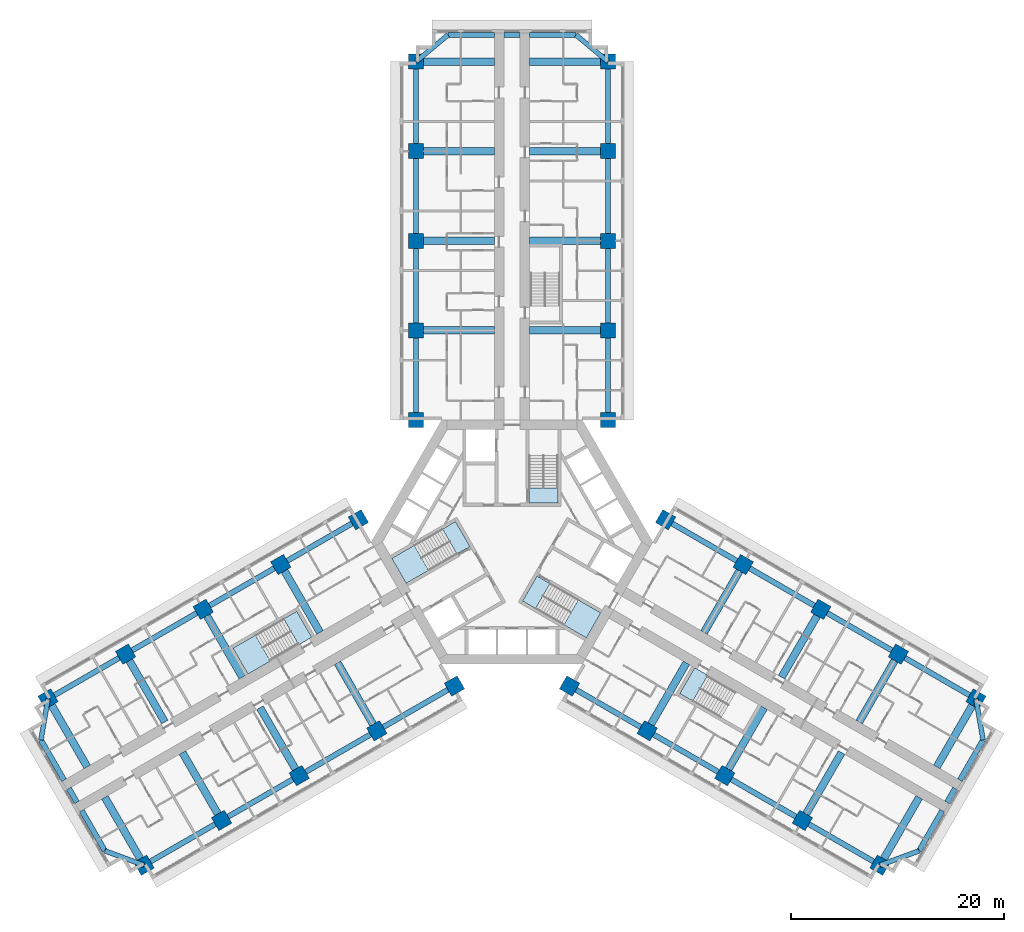
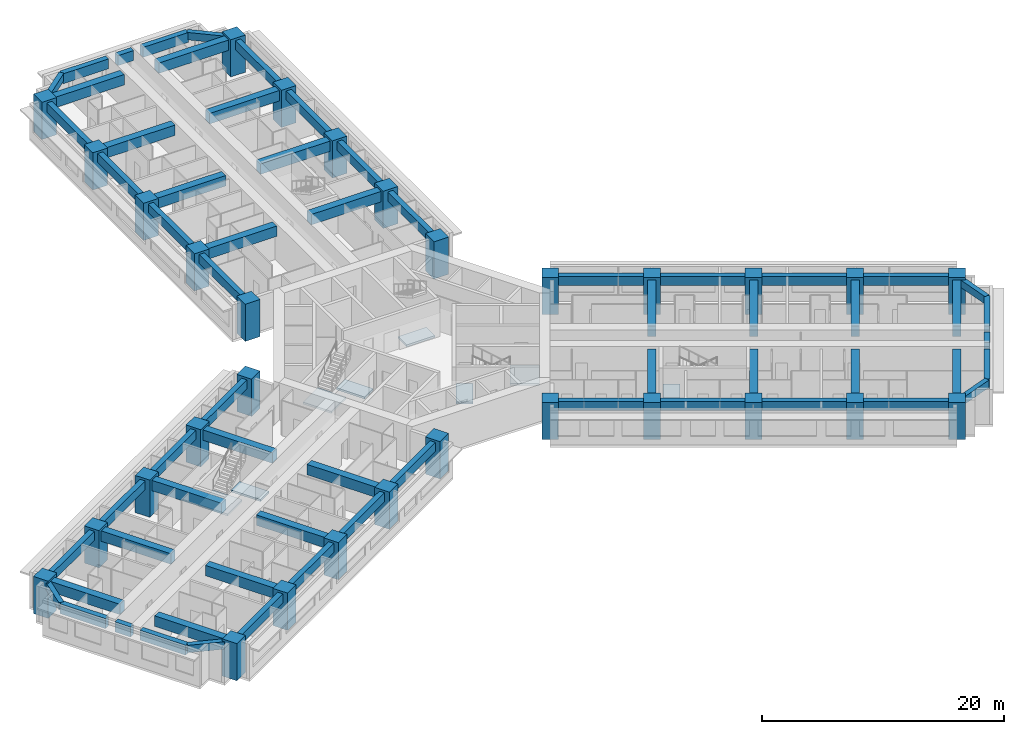
# One storey, part 1 of 16: 63 beams, 30 columns, 8 slabs, 5 elements without a shape of their own.
"""IFC4 building model written with IfcOpenShell, lengths in metres."""

from ifc_helpers import new_model, si_unit, direction, frame, origin, origin_2d, place, context, subcontext, project, spatial, polyline, rectangle, outline, extrude, material, layer, layer_set, material_profile, profile_set, type_object, element, aggregate, save


model = new_model("IFC4")

# Units and contexts
model_context = context("Model", 3, precision=1e-05, world=origin(), true_north=direction((0.0, 1.0)))
body_context = subcontext(model_context, "Body", "Model", "MODEL_VIEW")
ifc_project = project(units=[si_unit("LENGTHUNIT", "METRE"), si_unit("AREAUNIT", "SQUARE_METRE"), si_unit("VOLUMEUNIT", "CUBIC_METRE"), si_unit("PLANEANGLEUNIT", "RADIAN"), si_unit("MASSUNIT", "GRAM", prefix="KILO")], contexts=[model_context])

# Site, building, storey
site_placement = place(None, origin())
site = spatial("IfcSite", under=ifc_project, at=site_placement, CompositionType="ELEMENT")
building_placement = place(site_placement, origin())
building = spatial("IfcBuilding", under=site, at=building_placement, Name="Impinga Residences", CompositionType="ELEMENT")
storey_placement = place(building_placement, frame((0.0, 0.0, 67.25)))
storey = spatial("IfcBuildingStorey", under=building, at=storey_placement, Name="L16", CompositionType="ELEMENT", Elevation=67.25)

# Columns
ifc_material_1 = material(Name="Concrete C70/85", Category="concrete")
ifc_material_profile_1 = material_profile(ifc_material_1, rectangle(XDim=1.39990234375, YDim=1.39990234375, at=origin_2d()), Name="RC 1400x1400")
ifc_profile_set_1 = profile_set([ifc_material_profile_1], Name="Concrete C70/85")
column_type = type_object("IfcColumnType", Name="C2 1400x1400 column", PredefinedType="COLUMN", material=ifc_profile_set_1)
for number, where, z_axis, x_axis, name in (
    (1, (-9.0, 11.431640625, 0.0), (0.0, 0.0, 1.0), (1.0, 0.0, 0.0), "Column C2 N1/NA L16"),
    (2, (9.0, 11.431640625, 0.0), (0.0, 0.0, 1.0), (1.0, 0.0, 0.0), "Column C2 N1/NF L16"),
    (3, (-9.0, 19.83154296875, 0.0), (0.0, 0.0, 1.0), (1.0, 0.0, 0.0), "Column C2 N2/NA L16"),
    (4, (9.0, 19.83154296875, 0.0), (0.0, 0.0, 1.0), (1.0, 0.0, 0.0), "Column C2 N2/NF L16"),
    (5, (-9.0, 28.2314453125, 0.0), (0.0, 0.0, 1.0), (1.0, 0.0, 0.0), "Column C2 N3/NA L16"),
    (6, (9.0, 28.2314453125, 0.0), (0.0, 0.0, 1.0), (1.0, 0.0, 0.0), "Column C2 N3/NF L16"),
    (7, (-9.0, 36.631591796875, 0.0), (0.0, 0.0, 1.0), (1.0, 0.0, 0.0), "Column C2 N4/NA L16"),
    (8, (9.0, 36.631591796875, 0.0), (0.0, 0.0, 1.0), (1.0, 0.0, 0.0), "Column C2 N4/NF L16"),
    (9, (-9.0, 45.031494140625, 0.0), (0.0, 0.0, 1.0), (1.0, 0.0, 0.0), "Column C2 N5/NA L16"),
    (10, (9.0, 45.031494140625, 0.0), (0.0, 0.0, 1.0), (1.0, 0.0, 0.0), "Column C2 N5/NF L16"),
    (11, (-5.39990234375, -13.510009765625, 0.0), (0.0, 0.0, 1.0), (-0.5, 0.866025403784, 0.0), "Column C2 W1/WA L16"),
    (12, (-14.39990234375, 2.078369140625, 0.0), (0.0, 0.0, 1.0), (-0.5, 0.866025403784, 0.0), "Column C2 W1/WF L16"),
    (13, (-12.674560546875, -17.7099609375, 0.0), (0.0, 0.0, 1.0), (-0.5, 0.866025403784, 0.0), "Column C2 W2/WA L16"),
    (14, (-21.674560546875, -2.12158203125, 0.0), (0.0, 0.0, 1.0), (-0.5, 0.866025403784, 0.0), "Column C2 W2/WF L16"),
    (15, (-19.94921875, -21.909912109375, 0.0), (0.0, 0.0, 1.0), (-0.5, 0.866025403784, 0.0), "Column C2 W3/WA L16"),
    (16, (-28.94921875, -6.321533203125, 0.0), (0.0, 0.0, 1.0), (-0.5, 0.866025403784, 0.0), "Column C2 W3/WF L16"),
    (17, (-27.223876953125, -26.110107421875, 0.0), (0.0, 0.0, 1.0), (-0.5, 0.866025403784, 0.0), "Column C2 W4/WA L16"),
    (18, (-36.223876953125, -10.521484375, 0.0), (0.0, 0.0, 1.0), (-0.5, 0.866025403784, 0.0), "Column C2 W4/WF L16"),
    (19, (-34.49853515625, -30.31005859375, 0.0), (0.0, 0.0, 1.0), (-0.5, 0.866025403784, 0.0), "Column C2 W5/WA L16"),
    (20, (-43.49853515625, -14.721435546875, 0.0), (0.0, 0.0, 1.0), (-0.5, 0.866025403784, 0.0), "Column C2 W5/WF L16"),
    (21, (14.39990234375, 2.078369140625, 0.0), (0.0, 0.0, 1.0), (-0.5, -0.866025403784, 0.0), "Column C2 E1/EA L16"),
    (22, (5.39990234375, -13.510009765625, 0.0), (0.0, 0.0, 1.0), (-0.5, -0.866025403784, 0.0), "Column C2 E1/EF L16"),
    (23, (21.674560546875, -2.12158203125, 0.0), (0.0, 0.0, 1.0), (-0.5, -0.866025403784, 0.0), "Column C2 E2/EA L16"),
    (24, (12.674560546875, -17.7099609375, 0.0), (0.0, 0.0, 1.0), (-0.5, -0.866025403784, 0.0), "Column C2 E2/EF L16"),
    (25, (28.94921875, -6.321533203125, 0.0), (0.0, 0.0, 1.0), (-0.5, -0.866025403784, 0.0), "Column C2 E3/EA L16"),
    (26, (19.94921875, -21.909912109375, 0.0), (0.0, 0.0, 1.0), (-0.5, -0.866025403784, 0.0), "Column C2 E3/EF L16"),
    (27, (36.223876953125, -10.521484375, 0.0), (0.0, 0.0, 1.0), (-0.5, -0.866025403784, 0.0), "Column C2 E4/EA L16"),
    (28, (27.223876953125, -26.110107421875, 0.0), (0.0, 0.0, 1.0), (-0.5, -0.866025403784, 0.0), "Column C2 E4/EF L16"),
    (29, (43.49853515625, -14.721435546875, 0.0), (0.0, 0.0, 1.0), (-0.5, -0.866025403784, 0.0), "Column C2 E5/EA L16"),
    (30, (34.49853515625, -30.31005859375, 0.0), (0.0, 0.0, 1.0), (-0.5, -0.866025403784, 0.0), "Column C2 E5/EF L16"),
):
    element("IfcColumn", number, at=place(storey_placement, frame(where, z_axis=z_axis, x_axis=x_axis)), inside=storey, type_object=column_type, Name=name, PredefinedType="COLUMN", context=body_context, shape_type="SweptSolid", body=[
        extrude(rectangle(XDim=1.39990234375, YDim=1.39990234375, at=origin_2d()), origin(), (0.0, 0.0, 1.0), 3.75),
    ])

# Beams
ifc_material_2 = material(Name="Concrete C60/75", Category="concrete")
ifc_material_profile_2 = material_profile(ifc_material_2, rectangle(XDim=0.449951171875, YDim=0.75, at=origin_2d()), Name="RC 450x750")
ifc_profile_set_2 = profile_set([ifc_material_profile_2], Name="Concrete C60/75")
beam_type_1 = type_object("IfcBeamType", Name="CB1 450x750 wing end cantilever beam", PredefinedType="BEAM", material=ifc_profile_set_2)
for number, where, z_axis, x_axis, name in (
    (31, (-9.0, 45.031494140625, 3.155029296875), (0.768221279597, 0.640184399664, 0.0), (-0.640184399664, 0.768221279597, 0.0), "Beam CB1 NB N5-NX level L17"),
    (32, (9.0, 45.031494140625, 3.155029296875), (-0.768221279597, 0.640184399664, 0.0), (-0.640184399664, -0.768221279597, 0.0), "Beam CB1 NE N5-NX level L17"),
    (33, (-34.49853515625, -30.31005859375, 3.155029296875), (-0.938520178725, 0.345224382289, 0.0), (-0.345224382289, -0.938520178725, 0.0), "Beam CB1 WB W5-WX level L17"),
):
    element("IfcBeam", number, at=place(storey_placement, frame(where, z_axis=z_axis, x_axis=x_axis)), inside=storey, type_object=beam_type_1, Name=name, PredefinedType="BEAM", context=body_context, shape_type="SweptSolid", body=[
        extrude(rectangle(XDim=0.449951171875, YDim=0.75, at=origin_2d()), origin(), (0.0, 0.0, 1.0), 3.905029296875),
    ])
for number, where, z_axis, x_axis, name in (
    (34, (-43.49853515625, -14.721435546875, 3.155029296875), (-0.170296298948, -0.985392901621, 0.0), (0.985392901621, -0.170296298948, 0.0), "Beam CB1 WE W5-WX level L17"),
    (35, (43.49853515625, -14.721435546875, 3.155029296875), (0.170296298948, -0.985392901621, 0.0), (0.985392901621, 0.170296298948, 0.0), "Beam CB1 EB E5-EX level L17"),
):
    element("IfcBeam", number, at=place(storey_placement, frame(where, z_axis=z_axis, x_axis=x_axis)), inside=storey, type_object=beam_type_1, Name=name, PredefinedType="BEAM", context=body_context, shape_type="SweptSolid", body=[
        extrude(rectangle(XDim=0.449951171875, YDim=0.75, at=origin_2d()), origin(), (0.0, 0.0, 1.0), 3.9052734375),
    ])
beam_1_placement = place(storey_placement, frame((34.49853515625, -30.31005859375, 3.155029296875), z_axis=(0.938520178725, 0.345224382289, 0.0), x_axis=(-0.345224382289, 0.938520178725, 0.0)))
element("IfcBeam", 36, at=beam_1_placement, inside=storey, type_object=beam_type_1, Name="Beam CB1 EE E5-EX level L17", PredefinedType="BEAM", context=body_context, shape_type="SweptSolid", body=[
    extrude(rectangle(XDim=0.449951171875, YDim=0.75, at=origin_2d()), origin(), (0.0, 0.0, 1.0), 3.905029296875),
])
ifc_material_profile_3 = material_profile(ifc_material_2, rectangle(XDim=0.699951171875, YDim=1.050048828125, at=origin_2d()), Name="RC 700x1050")
ifc_profile_set_3 = profile_set([ifc_material_profile_3], Name="Concrete C60/75")
beam_type_2 = type_object("IfcBeamType", Name="CG1 700x1050 cross girder on a wing bay line", PredefinedType="BEAM", material=ifc_profile_set_3)
for number, where, z_axis, x_axis, name in (
    (37, (-1.64990234375, 19.83154296875, 3.0048828125), (-1.0, 0.0, 0.0), (0.0, -1.0, 0.0), "Beam CG1 N2 NC/NA level L17"),
    (38, (-1.64990234375, 28.2314453125, 3.0048828125), (-1.0, 0.0, 0.0), (0.0, -1.0, 0.0), "Beam CG1 N3 NC/NA level L17"),
    (39, (-1.64990234375, 36.631591796875, 3.0048828125), (-1.0, 0.0, 0.0), (0.0, -1.0, 0.0), "Beam CG1 N4 NC/NA level L17"),
    (40, (-1.64990234375, 45.031494140625, 3.0048828125), (-1.0, 0.0, 0.0), (0.0, -1.0, 0.0), "Beam CG1 N5 NC/NA level L17"),
    (41, (1.64990234375, 19.83154296875, 3.0048828125), (1.0, 0.0, 0.0), (0.0, 1.0, 0.0), "Beam CG1 N2 NC/NF level L17"),
    (42, (1.64990234375, 28.2314453125, 3.0048828125), (1.0, 0.0, 0.0), (0.0, 1.0, 0.0), "Beam CG1 N3 NC/NF level L17"),
    (43, (1.64990234375, 36.631591796875, 3.0048828125), (1.0, 0.0, 0.0), (0.0, 1.0, 0.0), "Beam CG1 N4 NC/NF level L17"),
    (44, (1.64990234375, 45.031494140625, 3.0048828125), (1.0, 0.0, 0.0), (0.0, 1.0, 0.0), "Beam CG1 N5 NC/NF level L17"),
    (45, (-16.349609375, -11.3447265625, 3.0048828125), (0.500008066151, -0.86602074674, 0.0), (0.86602074674, 0.500008066151, 0.0), "Beam CG1 W2 WC/WA level L17"),
    (46, (-23.624267578125, -15.544677734375, 3.0048828125), (0.500008066151, -0.86602074674, 0.0), (0.86602074674, 0.500008066151, 0.0), "Beam CG1 W3 WC/WA level L17"),
    (47, (-30.89892578125, -19.74462890625, 3.0048828125), (0.499993683172, -0.866029050776, 0.0), (0.866029050776, 0.499993683172, 0.0), "Beam CG1 W4 WC/WA level L17"),
):
    element("IfcBeam", number, at=place(storey_placement, frame(where, z_axis=z_axis, x_axis=x_axis)), inside=storey, type_object=beam_type_2, Name=name, PredefinedType="BEAM", context=body_context, shape_type="SweptSolid", body=[
        extrude(rectangle(XDim=0.699951171875, YDim=1.050048828125, at=origin_2d()), origin(), (0.0, 0.0, 1.0), 7.35009765625),
    ])
beam_2_placement = place(storey_placement, frame((-38.17333984375, -23.94482421875, 3.0048828125), z_axis=(0.499983153418, -0.866035129944, 0.0), x_axis=(0.866035129944, 0.499983153418, 0.0)))
element("IfcBeam", 48, at=beam_2_placement, inside=storey, type_object=beam_type_2, Name="Beam CG1 W5 WC/WA level L17", PredefinedType="BEAM", context=body_context, shape_type="SweptSolid", body=[
    extrude(rectangle(XDim=0.699951171875, YDim=1.050048828125, at=origin_2d()), origin(), (0.0, 0.0, 1.0), 7.349853515625),
])
for number, where, z_axis, x_axis, name in (
    (49, (-17.99951171875, -8.48681640625, 3.0048828125), (-0.500008066151, 0.86602074674, 0.0), (-0.86602074674, -0.500008066151, 0.0), "Beam CG1 W2 WC/WF level L17"),
    (50, (-25.274169921875, -12.686767578125, 3.0048828125), (-0.500008066151, 0.86602074674, 0.0), (-0.86602074674, -0.500008066151, 0.0), "Beam CG1 W3 WC/WF level L17"),
    (51, (-32.548828125, -16.88671875, 3.0048828125), (-0.500008066151, 0.86602074674, 0.0), (-0.86602074674, -0.500008066151, 0.0), "Beam CG1 W4 WC/WF level L17"),
    (52, (-39.823486328125, -21.0869140625, 3.0048828125), (-0.499993683172, 0.866029050776, 0.0), (-0.866029050776, -0.499993683172, 0.0), "Beam CG1 W5 WC/WF level L17"),
    (53, (17.99951171875, -8.48681640625, 3.0048828125), (0.500008066151, 0.86602074674, 0.0), (-0.86602074674, 0.500008066151, 0.0), "Beam CG1 E2 EC/EA level L17"),
    (54, (25.274169921875, -12.686767578125, 3.0048828125), (0.500008066151, 0.86602074674, 0.0), (-0.86602074674, 0.500008066151, 0.0), "Beam CG1 E3 EC/EA level L17"),
    (55, (32.548828125, -16.88671875, 3.0048828125), (0.500008066151, 0.86602074674, 0.0), (-0.86602074674, 0.500008066151, 0.0), "Beam CG1 E4 EC/EA level L17"),
    (56, (39.823486328125, -21.0869140625, 3.0048828125), (0.499993683172, 0.866029050776, 0.0), (-0.866029050776, 0.499993683172, 0.0), "Beam CG1 E5 EC/EA level L17"),
    (57, (16.349609375, -11.3447265625, 3.0048828125), (-0.500008066151, -0.86602074674, 0.0), (0.86602074674, -0.500008066151, 0.0), "Beam CG1 E2 EC/EF level L17"),
    (58, (23.624267578125, -15.544677734375, 3.0048828125), (-0.500008066151, -0.86602074674, 0.0), (0.86602074674, -0.500008066151, 0.0), "Beam CG1 E3 EC/EF level L17"),
    (59, (30.89892578125, -19.74462890625, 3.0048828125), (-0.499993683172, -0.866029050776, 0.0), (0.866029050776, -0.499993683172, 0.0), "Beam CG1 E4 EC/EF level L17"),
):
    element("IfcBeam", number, at=place(storey_placement, frame(where, z_axis=z_axis, x_axis=x_axis)), inside=storey, type_object=beam_type_2, Name=name, PredefinedType="BEAM", context=body_context, shape_type="SweptSolid", body=[
        extrude(rectangle(XDim=0.699951171875, YDim=1.050048828125, at=origin_2d()), origin(), (0.0, 0.0, 1.0), 7.35009765625),
    ])
beam_3_placement = place(storey_placement, frame((38.17333984375, -23.94482421875, 3.0048828125), z_axis=(-0.499983153418, -0.866035129944, 0.0), x_axis=(0.866035129944, -0.499983153418, 0.0)))
element("IfcBeam", 60, at=beam_3_placement, inside=storey, type_object=beam_type_2, Name="Beam CG1 E5 EC/EF level L17", PredefinedType="BEAM", context=body_context, shape_type="SweptSolid", body=[
    extrude(rectangle(XDim=0.699951171875, YDim=1.050048828125, at=origin_2d()), origin(), (0.0, 0.0, 1.0), 7.349853515625),
])
ifc_material_profile_4 = material_profile(ifc_material_2, rectangle(XDim=0.5, YDim=1.0, at=origin_2d()), Name="RC 500x1000")
ifc_profile_set_4 = profile_set([ifc_material_profile_4], Name="Concrete C60/75")
beam_type_3 = type_object("IfcBeamType", Name="EB1 500x1000 wing end beam", PredefinedType="BEAM", material=ifc_profile_set_4)
beam_4_placement = place(storey_placement, frame((-6.0, 47.531494140625, 3.030029296875), z_axis=(1.0, 0.0, 0.0), x_axis=(0.0, 1.0, 0.0)))
element("IfcBeam", 61, at=beam_4_placement, inside=storey, type_object=beam_type_3, Name="Beam EB1 NX4 level L17", PredefinedType="BEAM", context=body_context, shape_type="SweptSolid", body=[
    extrude(rectangle(XDim=0.5, YDim=1.0, at=origin_2d()), origin(), (0.0, 0.0, 1.0), 4.35009765625),
])
beam_5_placement = place(storey_placement, frame((-0.75, 47.531494140625, 3.030029296875), z_axis=(1.0, 0.0, 0.0), x_axis=(0.0, 1.0, 0.0)))
element("IfcBeam", 62, at=beam_5_placement, inside=storey, type_object=beam_type_3, Name="Beam EB1 NX4 level L17", PredefinedType="BEAM", context=body_context, shape_type="SweptSolid", body=[
    extrude(rectangle(XDim=0.5, YDim=1.0, at=origin_2d()), origin(), (0.0, 0.0, 1.0), 1.5),
])
beam_6_placement = place(storey_placement, frame((1.64990234375, 47.531494140625, 3.030029296875), z_axis=(1.0, 0.0, 0.0), x_axis=(0.0, 1.0, 0.0)))
element("IfcBeam", 63, at=beam_6_placement, inside=storey, type_object=beam_type_3, Name="Beam EB1 NX4 level L17", PredefinedType="BEAM", context=body_context, shape_type="SweptSolid", body=[
    extrude(rectangle(XDim=0.5, YDim=1.0, at=origin_2d()), origin(), (0.0, 0.0, 1.0), 4.35009765625),
])
beam_7_placement = place(storey_placement, frame((-38.16357421875, -28.9619140625, 3.030029296875), z_axis=(-0.500020430026, 0.866013608182, 0.0), x_axis=(-0.866013608182, -0.500020430026, 0.0)))
element("IfcBeam", 64, at=beam_7_placement, inside=storey, type_object=beam_type_3, Name="Beam EB1 WX4 level L17", PredefinedType="BEAM", context=body_context, shape_type="SweptSolid", body=[
    extrude(rectangle(XDim=0.5, YDim=1.0, at=origin_2d()), origin(), (0.0, 0.0, 1.0), 4.349853515625),
])
beam_8_placement = place(storey_placement, frame((-40.78857421875, -24.415283203125, 3.030029296875), z_axis=(-0.499990139034, 0.866031096941, 0.0), x_axis=(-0.866031096941, -0.499990139034, 0.0)))
element("IfcBeam", 65, at=beam_8_placement, inside=storey, type_object=beam_type_3, Name="Beam EB1 WX4 level L17", PredefinedType="BEAM", context=body_context, shape_type="SweptSolid", body=[
    extrude(rectangle(XDim=0.5, YDim=1.0, at=origin_2d()), origin(), (0.0, 0.0, 1.0), 1.5),
])
for number, where, z_axis, x_axis, name in (
    (66, (-41.988525390625, -22.3369140625, 3.030029296875), (-0.499996127374, 0.866027639635, 0.0), (-0.866027639635, -0.499996127374, 0.0), "Beam EB1 WX4 level L17"),
    (67, (44.16357421875, -18.569580078125, 3.030029296875), (-0.499996127374, -0.866027639635, 0.0), (0.866027639635, -0.499996127374, 0.0), "Beam EB1 EX4 level L17"),
):
    element("IfcBeam", number, at=place(storey_placement, frame(where, z_axis=z_axis, x_axis=x_axis)), inside=storey, type_object=beam_type_3, Name=name, PredefinedType="BEAM", context=body_context, shape_type="SweptSolid", body=[
        extrude(rectangle(XDim=0.5, YDim=1.0, at=origin_2d()), origin(), (0.0, 0.0, 1.0), 4.35009765625),
    ])
beam_9_placement = place(storey_placement, frame((41.53857421875, -23.1162109375, 3.030029296875), z_axis=(-0.499990139034, -0.866031096941, 0.0), x_axis=(0.866031096941, -0.499990139034, 0.0)))
element("IfcBeam", 68, at=beam_9_placement, inside=storey, type_object=beam_type_3, Name="Beam EB1 EX4 level L17", PredefinedType="BEAM", context=body_context, shape_type="SweptSolid", body=[
    extrude(rectangle(XDim=0.5, YDim=1.0, at=origin_2d()), origin(), (0.0, 0.0, 1.0), 1.5),
])
beam_10_placement = place(storey_placement, frame((40.338623046875, -25.19482421875, 3.030029296875), z_axis=(-0.500020430026, -0.866013608182, 0.0), x_axis=(0.866013608182, -0.500020430026, 0.0)))
element("IfcBeam", 69, at=beam_10_placement, inside=storey, type_object=beam_type_3, Name="Beam EB1 EX4 level L17", PredefinedType="BEAM", context=body_context, shape_type="SweptSolid", body=[
    extrude(rectangle(XDim=0.5, YDim=1.0, at=origin_2d()), origin(), (0.0, 0.0, 1.0), 4.349853515625),
])
ifc_material_profile_5 = material_profile(ifc_material_2, rectangle(XDim=0.5, YDim=0.89990234375, at=origin_2d()), Name="RC 500x900")
ifc_profile_set_5 = profile_set([ifc_material_profile_5], Name="Concrete C60/75")
beam_type_4 = type_object("IfcBeamType", Name="SB1 500x900 perimeter spandrel beam", PredefinedType="SPANDREL", material=ifc_profile_set_5)
for number, where, z_axis, x_axis, name in (
    (70, (-9.0, 11.431640625, 3.080078125), (0.0, 1.0, 0.0), (-1.0, 0.0, 0.0), "Beam SB1 NA N1-N2 level L17"),
    (71, (-9.0, 19.83154296875, 3.080078125), (0.0, 1.0, 0.0), (-1.0, 0.0, 0.0), "Beam SB1 NA N2-N3 level L17"),
):
    element("IfcBeam", number, at=place(storey_placement, frame(where, z_axis=z_axis, x_axis=x_axis)), inside=storey, type_object=beam_type_4, Name=name, PredefinedType="SPANDREL", context=body_context, shape_type="SweptSolid", body=[
        extrude(rectangle(XDim=0.5, YDim=0.89990234375, at=origin_2d()), origin(), (0.0, 0.0, 1.0), 8.39990234375),
    ])
beam_11_placement = place(storey_placement, frame((-9.0, 28.2314453125, 3.080078125), z_axis=(0.0, 1.0, 0.0), x_axis=(-1.0, 0.0, 0.0)))
element("IfcBeam", 72, at=beam_11_placement, inside=storey, type_object=beam_type_4, Name="Beam SB1 NA N3-N4 level L17", PredefinedType="SPANDREL", context=body_context, shape_type="SweptSolid", body=[
    extrude(rectangle(XDim=0.5, YDim=0.89990234375, at=origin_2d()), origin(), (0.0, 0.0, 1.0), 8.400146484375),
])
for number, where, z_axis, x_axis, name in (
    (73, (-9.0, 36.631591796875, 3.080078125), (0.0, 1.0, 0.0), (-1.0, 0.0, 0.0), "Beam SB1 NA N4-N5 level L17"),
    (74, (9.0, 11.431640625, 3.080078125), (0.0, 1.0, 0.0), (-1.0, 0.0, 0.0), "Beam SB1 NF N1-N2 level L17"),
    (75, (9.0, 19.83154296875, 3.080078125), (0.0, 1.0, 0.0), (-1.0, 0.0, 0.0), "Beam SB1 NF N2-N3 level L17"),
):
    element("IfcBeam", number, at=place(storey_placement, frame(where, z_axis=z_axis, x_axis=x_axis)), inside=storey, type_object=beam_type_4, Name=name, PredefinedType="SPANDREL", context=body_context, shape_type="SweptSolid", body=[
        extrude(rectangle(XDim=0.5, YDim=0.89990234375, at=origin_2d()), origin(), (0.0, 0.0, 1.0), 8.39990234375),
    ])
beam_12_placement = place(storey_placement, frame((9.0, 28.2314453125, 3.080078125), z_axis=(0.0, 1.0, 0.0), x_axis=(-1.0, 0.0, 0.0)))
element("IfcBeam", 76, at=beam_12_placement, inside=storey, type_object=beam_type_4, Name="Beam SB1 NF N3-N4 level L17", PredefinedType="SPANDREL", context=body_context, shape_type="SweptSolid", body=[
    extrude(rectangle(XDim=0.5, YDim=0.89990234375, at=origin_2d()), origin(), (0.0, 0.0, 1.0), 8.400146484375),
])
for number, where, z_axis, x_axis, name in (
    (77, (9.0, 36.631591796875, 3.080078125), (0.0, 1.0, 0.0), (-1.0, 0.0, 0.0), "Beam SB1 NF N4-N5 level L17"),
    (78, (-5.39990234375, -13.510009765625, 3.080078125), (-0.86602925447, -0.499993330357, 0.0), (0.499993330357, -0.86602925447, 0.0), "Beam SB1 WA W1-W2 level L17"),
    (79, (-12.674560546875, -17.7099609375, 3.080078125), (-0.86602925447, -0.499993330357, 0.0), (0.499993330357, -0.86602925447, 0.0), "Beam SB1 WA W2-W3 level L17"),
):
    element("IfcBeam", number, at=place(storey_placement, frame(where, z_axis=z_axis, x_axis=x_axis)), inside=storey, type_object=beam_type_4, Name=name, PredefinedType="SPANDREL", context=body_context, shape_type="SweptSolid", body=[
        extrude(rectangle(XDim=0.5, YDim=0.89990234375, at=origin_2d()), origin(), (0.0, 0.0, 1.0), 8.39990234375),
    ])
beam_13_placement = place(storey_placement, frame((-19.94921875, -21.909912109375, 3.080078125), z_axis=(-0.866016669275, -0.500015128309, 0.0), x_axis=(0.500015128309, -0.866016669275, 0.0)))
element("IfcBeam", 80, at=beam_13_placement, inside=storey, type_object=beam_type_4, Name="Beam SB1 WA W3-W4 level L17", PredefinedType="SPANDREL", context=body_context, shape_type="SweptSolid", body=[
    extrude(rectangle(XDim=0.5, YDim=0.89990234375, at=origin_2d()), origin(), (0.0, 0.0, 1.0), 8.400146484375),
])
for number, where, z_axis, x_axis, name in (
    (81, (-27.223876953125, -26.110107421875, 3.080078125), (-0.86602925447, -0.499993330357, 0.0), (0.499993330357, -0.86602925447, 0.0), "Beam SB1 WA W4-W5 level L17"),
    (82, (-14.39990234375, 2.078369140625, 3.080078125), (-0.86602925447, -0.499993330357, 0.0), (0.499993330357, -0.86602925447, 0.0), "Beam SB1 WF W1-W2 level L17"),
    (83, (-21.674560546875, -2.12158203125, 3.080078125), (-0.86602925447, -0.499993330357, 0.0), (0.499993330357, -0.86602925447, 0.0), "Beam SB1 WF W2-W3 level L17"),
    (84, (-28.94921875, -6.321533203125, 3.080078125), (-0.86602925447, -0.499993330357, 0.0), (0.499993330357, -0.86602925447, 0.0), "Beam SB1 WF W3-W4 level L17"),
    (85, (-36.223876953125, -10.521484375, 3.080078125), (-0.86602925447, -0.499993330357, 0.0), (0.499993330357, -0.86602925447, 0.0), "Beam SB1 WF W4-W5 level L17"),
    (86, (14.39990234375, 2.078369140625, 3.080078125), (0.86602925447, -0.499993330357, 0.0), (0.499993330357, 0.86602925447, 0.0), "Beam SB1 EA E1-E2 level L17"),
    (87, (21.674560546875, -2.12158203125, 3.080078125), (0.86602925447, -0.499993330357, 0.0), (0.499993330357, 0.86602925447, 0.0), "Beam SB1 EA E2-E3 level L17"),
    (88, (28.94921875, -6.321533203125, 3.080078125), (0.86602925447, -0.499993330357, 0.0), (0.499993330357, 0.86602925447, 0.0), "Beam SB1 EA E3-E4 level L17"),
    (89, (36.223876953125, -10.521484375, 3.080078125), (0.86602925447, -0.499993330357, 0.0), (0.499993330357, 0.86602925447, 0.0), "Beam SB1 EA E4-E5 level L17"),
    (90, (5.39990234375, -13.510009765625, 3.080078125), (0.86602925447, -0.499993330357, 0.0), (0.499993330357, 0.86602925447, 0.0), "Beam SB1 EF E1-E2 level L17"),
    (91, (12.674560546875, -17.7099609375, 3.080078125), (0.86602925447, -0.499993330357, 0.0), (0.499993330357, 0.86602925447, 0.0), "Beam SB1 EF E2-E3 level L17"),
):
    element("IfcBeam", number, at=place(storey_placement, frame(where, z_axis=z_axis, x_axis=x_axis)), inside=storey, type_object=beam_type_4, Name=name, PredefinedType="SPANDREL", context=body_context, shape_type="SweptSolid", body=[
        extrude(rectangle(XDim=0.5, YDim=0.89990234375, at=origin_2d()), origin(), (0.0, 0.0, 1.0), 8.39990234375),
    ])
beam_14_placement = place(storey_placement, frame((19.94921875, -21.909912109375, 3.080078125), z_axis=(0.866016669275, -0.500015128309, 0.0), x_axis=(0.500015128309, 0.866016669275, 0.0)))
element("IfcBeam", 92, at=beam_14_placement, inside=storey, type_object=beam_type_4, Name="Beam SB1 EF E3-E4 level L17", PredefinedType="SPANDREL", context=body_context, shape_type="SweptSolid", body=[
    extrude(rectangle(XDim=0.5, YDim=0.89990234375, at=origin_2d()), origin(), (0.0, 0.0, 1.0), 8.400146484375),
])
beam_15_placement = place(storey_placement, frame((27.223876953125, -26.110107421875, 3.080078125), z_axis=(0.86602925447, -0.499993330357, 0.0), x_axis=(0.499993330357, 0.86602925447, 0.0)))
element("IfcBeam", 93, at=beam_15_placement, inside=storey, type_object=beam_type_4, Name="Beam SB1 EF E4-E5 level L17", PredefinedType="SPANDREL", context=body_context, shape_type="SweptSolid", body=[
    extrude(rectangle(XDim=0.5, YDim=0.89990234375, at=origin_2d()), origin(), (0.0, 0.0, 1.0), 8.39990234375),
])

# Stair, slab
ifc_material_3 = material(Name="Concrete C40/50", Category="concrete")
stair_type_1 = type_object("IfcStairType", Name="STR core stair 3750 storey, 24 risers", PredefinedType="HALF_TURN_STAIR", material=ifc_material_3)
stair_1_placement = place(storey_placement, origin())
stair_1 = element("IfcStair", 94, at=stair_1_placement, inside=storey, type_object=stair_type_1, Name="Stair ST1 L16", PredefinedType="HALF_TURN_STAIR")
ifc_layer = layer(ifc_material_3, 0.199951171875)
ifc_layer_set = layer_set([ifc_layer], Name="Concrete C40/50")
slab_type = type_object("IfcSlabType", Name="LS1 stair landing 200", PredefinedType="LANDING", material=ifc_layer_set)
slab_1_placement = place(storey_placement, frame((0.0, 0.0, -0.199951171875)))
slab_1 = element("IfcSlab", 95, at=slab_1_placement, type_object=slab_type, Name="ST1 landing 1", PredefinedType="LANDING", context=body_context, shape_type="SweptSolid", body=[
    extrude(outline(polyline([(1.60009765625, 3.6298828125), (4.300048828125, 3.6298828125), (4.300048828125, 5.0400390625), (1.60009765625, 5.0400390625), (1.60009765625, 3.6298828125)])), origin(), (0.0, 0.0, 1.0), 0.199951171875),
])
aggregate(stair_1, [slab_1])

# Stair, slabs
stair_2_placement = place(storey_placement, origin())
stair_2 = element("IfcStair", 96, at=stair_2_placement, inside=storey, type_object=stair_type_1, Name="Stair ST2 L16", PredefinedType="HALF_TURN_STAIR")
slab_2_placement = place(storey_placement, frame((0.0, 0.0, -0.199951171875)))
slab_2 = element("IfcSlab", 97, at=slab_2_placement, type_object=slab_type, Name="ST2 landing 1", PredefinedType="LANDING", context=body_context, shape_type="SweptSolid", body=[
    extrude(outline(polyline([(-3.943603515625, -0.429443359375), (-5.293701171875, 1.908935546875), (-6.5146484375, 1.203857421875), (-5.164794921875, -1.13427734375), (-3.943603515625, -0.429443359375)])), origin(), (0.0, 0.0, 1.0), 0.199951171875),
])
slab_3_placement = place(storey_placement, frame((0.0, 0.0, 1.675048828125)))
slab_3 = element("IfcSlab", 98, at=slab_3_placement, type_object=slab_type, Name="ST2 landing 2", PredefinedType="LANDING", context=body_context, shape_type="SweptSolid", body=[
    extrude(outline(polyline([(-7.814697265625, -2.664306640625), (-9.164794921875, -0.326171875), (-11.2705078125, -1.541748046875), (-9.920654296875, -3.880126953125), (-7.814697265625, -2.664306640625)])), origin(), (0.0, 0.0, 1.0), 0.199951171875),
])
aggregate(stair_2, [slab_2, slab_3])

stair_3_placement = place(storey_placement, origin())
stair_3 = element("IfcStair", 99, at=stair_3_placement, inside=storey, type_object=stair_type_1, Name="Stair ST3 L16", PredefinedType="HALF_TURN_STAIR")
slab_4_placement = place(storey_placement, frame((0.0, 0.0, -0.199951171875)))
slab_4 = element("IfcSlab", 100, at=slab_4_placement, type_object=slab_type, Name="ST3 landing 1", PredefinedType="LANDING", context=body_context, shape_type="SweptSolid", body=[
    extrude(outline(polyline([(2.34375, -3.20068359375), (0.99365234375, -5.538818359375), (2.21484375, -6.243896484375), (3.564697265625, -3.90576171875), (2.34375, -3.20068359375)])), origin(), (0.0, 0.0, 1.0), 0.199951171875),
])
slab_5_placement = place(storey_placement, frame((0.0, 0.0, 1.675048828125)))
slab_5 = element("IfcSlab", 101, at=slab_5_placement, type_object=slab_type, Name="ST3 landing 2", PredefinedType="LANDING", context=body_context, shape_type="SweptSolid", body=[
    extrude(outline(polyline([(6.21484375, -5.435546875), (4.86474609375, -7.77392578125), (6.970458984375, -8.98974609375), (8.320556640625, -6.6513671875), (6.21484375, -5.435546875)])), origin(), (0.0, 0.0, 1.0), 0.199951171875),
])
aggregate(stair_3, [slab_4, slab_5])

stair_type_2 = type_object("IfcStairType", Name="STR wing stair 3750 storey, 24 risers", PredefinedType="HALF_TURN_STAIR", material=ifc_material_3)
stair_4_placement = place(storey_placement, origin())
stair_4 = element("IfcStair", 102, at=stair_4_placement, inside=storey, type_object=stair_type_2, Name="Stair WS2 L16", PredefinedType="HALF_TURN_STAIR")
slab_6_placement = place(storey_placement, frame((0.0, 0.0, -0.199951171875)))
slab_6 = element("IfcSlab", 103, at=slab_6_placement, type_object=slab_type, Name="WS2 landing 1", PredefinedType="LANDING", context=body_context, shape_type="SweptSolid", body=[
    extrude(outline(polyline([(-18.779052734375, -8.936767578125), (-20.178955078125, -6.511962890625), (-21.400146484375, -7.217041015625), (-20.000244140625, -9.641845703125), (-18.779052734375, -8.936767578125)])), origin(), (0.0, 0.0, 1.0), 0.199951171875),
])
slab_7_placement = place(storey_placement, frame((0.0, 0.0, 1.675048828125)))
slab_7 = element("IfcSlab", 104, at=slab_7_placement, type_object=slab_type, Name="WS2 landing 2", PredefinedType="LANDING", context=body_context, shape_type="SweptSolid", body=[
    extrude(outline(polyline([(-22.650146484375, -11.171875), (-24.050048828125, -8.7470703125), (-26.154541015625, -9.9619140625), (-24.754638671875, -12.38671875), (-22.650146484375, -11.171875)])), origin(), (0.0, 0.0, 1.0), 0.199951171875),
])
aggregate(stair_4, [slab_6, slab_7])

# Stair, slab
stair_5_placement = place(storey_placement, origin())
stair_5 = element("IfcStair", 105, at=stair_5_placement, inside=storey, type_object=stair_type_2, Name="Stair WS3 L16", PredefinedType="HALF_TURN_STAIR")
slab_8_placement = place(storey_placement, frame((0.0, 0.0, -0.199951171875)))
slab_8 = element("IfcSlab", 106, at=slab_8_placement, type_object=slab_type, Name="WS3 landing 1", PredefinedType="LANDING", context=body_context, shape_type="SweptSolid", body=[
    extrude(outline(polyline([(17.129150390625, -11.794677734375), (15.72900390625, -14.219482421875), (16.9501953125, -14.924560546875), (18.35009765625, -12.499755859375), (17.129150390625, -11.794677734375)])), origin(), (0.0, 0.0, 1.0), 0.199951171875),
])
aggregate(stair_5, [slab_8])

save(model, "model.ifc")
